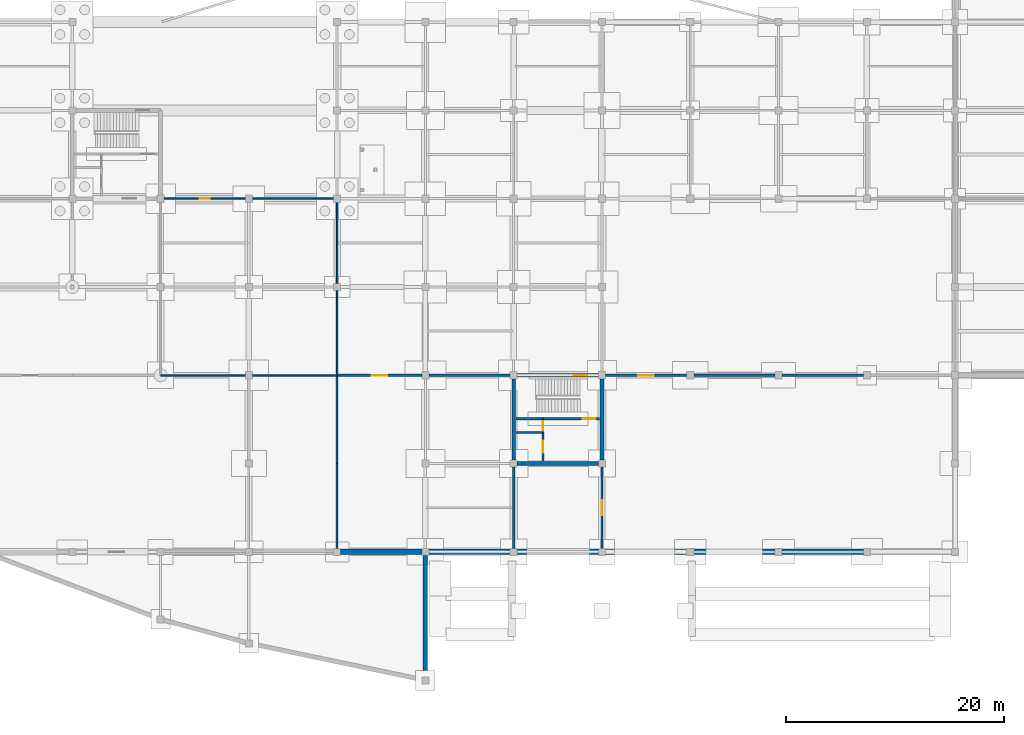
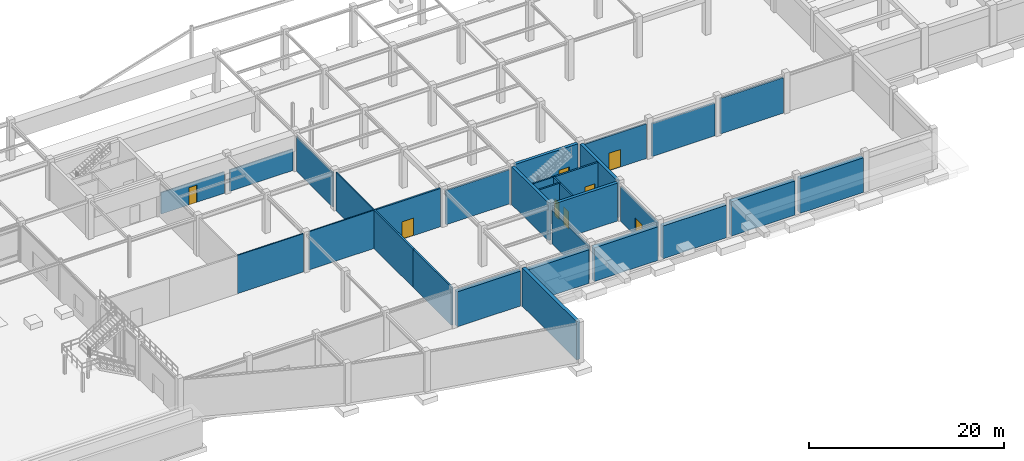
# One storey, part 47 of 67: 30 walls, 8 doors, 8 openings.
"""IFC4 building model written with IfcOpenShell, lengths in metres."""

from ifc_helpers import new_model, si_unit, direction, frame, frame_2d, origin, place, context, subcontext, project, spatial, rectangle, extrude, material, layer, layer_set, type_object, element, fill, save


model = new_model("IFC4")

# Units and contexts
model_context = context("Model", 3, precision=1e-05, world=origin(), true_north=direction((0.0, 1.0)))
body_context = subcontext(model_context, "Body", "Model", "MODEL_VIEW")
ifc_project = project(units=[si_unit("LENGTHUNIT", "METRE"), si_unit("AREAUNIT", "SQUARE_METRE"), si_unit("VOLUMEUNIT", "CUBIC_METRE"), si_unit("PLANEANGLEUNIT", "RADIAN"), si_unit("MASSUNIT", "GRAM", prefix="KILO")], contexts=[model_context])

# Site, building, storey
site_placement = place(None, origin())
site = spatial("IfcSite", under=ifc_project, at=site_placement, CompositionType="ELEMENT")
building_placement = place(site_placement, origin())
building = spatial("IfcBuilding", under=site, at=building_placement, Name="Vaudrelin Polytechnic", CompositionType="ELEMENT")
storey_placement = place(building_placement, frame((0.0, 0.0, -5.10009765625)))
storey = spatial("IfcBuildingStorey", under=building, at=storey_placement, Name="B1", CompositionType="ELEMENT", Elevation=-5.10009765625)

# Walls
ifc_material_1 = material(Name="Concrete masonry unit 20 MPa shaft & corridor fire wall", Category="masonry")
ifc_layer_1 = layer(ifc_material_1, 0.199951171875)
ifc_layer_set_1 = layer_set([ifc_layer_1], Name="Concrete masonry unit 20 MPa shaft & corridor fire wall")
wall_type_1 = type_object("IfcWallType", Name="WAL-PW-FIRE120", PredefinedType="PARTITIONING", material=ifc_layer_set_1)
wall_1_placement = place(storey_placement, frame((72.89990234375, 0.322998046875, 0.0), z_axis=(0.0, 0.0, 1.0), x_axis=(0.0, 1.0, 0.0)))
element("IfcWall", 1, at=wall_1_placement, inside=storey, type_object=wall_type_1, Name="Partition B1-016 E", PredefinedType="PARTITIONING", context=body_context, shape_type="SweptSolid", body=[
    extrude(rectangle(XDim=7.777099609375, YDim=0.199951171875, at=frame_2d((3.888671875, 0.0))), origin(), (0.0, 0.0, 1.0), 4.781982421875),
])
wall_2_placement = place(storey_placement, frame((72.89990234375, 8.10009765625, 0.0), z_axis=(0.0, 0.0, 1.0), x_axis=(0.0, 1.0, 0.0)))
element("IfcWall", 2, at=wall_2_placement, inside=storey, type_object=wall_type_1, Name="Partition B1-016 E", PredefinedType="PARTITIONING", context=body_context, shape_type="SweptSolid", body=[
    extrude(rectangle(XDim=8.099853515625, YDim=0.199951171875, at=frame_2d((4.0498046875, 0.0))), origin(), (0.0, 0.0, 1.0), 4.781982421875),
])

# Wall, opening, door
wall_3_placement = place(storey_placement, frame((72.89990234375, 16.199951171875, 0.0), z_axis=(0.0, 0.0, 1.0), x_axis=(1.0, 0.0, 0.0)))
wall_3 = element("IfcWall", 3, at=wall_3_placement, inside=storey, type_object=wall_type_1, Name="Partition B1-017 N", PredefinedType="PARTITIONING", context=body_context, shape_type="SweptSolid", body=[
    extrude(rectangle(XDim=7.777099609375, YDim=0.199951171875, at=frame_2d((3.888671875, 0.0))), origin(), (0.0, 0.0, 1.0), 4.781982421875),
])
opening_1_placement = place(wall_3_placement, frame((3.1884765625, 0.0, 0.0)))
opening_1 = element("IfcOpeningElement", 4, at=opening_1_placement, cuts=wall_3, Name="Opening D-B1-404", PredefinedType="OPENING", context=body_context, shape_type="SweptSolid", body=[
    extrude(rectangle(XDim=1.39990234375, YDim=2.199951171875, at=frame_2d((0.699951171875, 1.10009765625))), frame((0.0, 0.10986328125, 0.0), z_axis=(0.0, -1.0, 0.0), x_axis=(1.0, 0.0, 0.0)), (0.0, 0.0, 1.0), 0.219970703125),
])
ifc_material_2 = material(Name="Pressed galvanised steel acoustic leaf", Category="steel")
door_type_1 = type_object("IfcDoorType", Name="DOR-ID-PLT1", OperationType="NOTDEFINED", PredefinedType="DOOR", material=ifc_material_2)
door_1_placement = place(opening_1_placement, origin())
door_1 = element("IfcDoor", 5, at=door_1_placement, inside=storey, type_object=door_type_1, Name="Refectory Cold Storage and Dry Goods Store door B1-017", OperationType="DOUBLE_SWING_LEFT", OverallHeight=2.199951171875, OverallWidth=1.39990234375, PredefinedType="DOOR", context=body_context, shape_type="SweptSolid", body=[
    extrude(rectangle(XDim=1.39990234375, YDim=2.199951171875, at=frame_2d((0.699951171875, 1.10009765625))), frame((0.0, 0.02490234375, 0.0), z_axis=(0.0, -1.0, 0.0), x_axis=(1.0, 0.0, 0.0)), (0.0, 0.0, 1.0), 0.050048828125),
])
fill(opening_1, door_1)

# Walls
wall_4_placement = place(storey_placement, frame((81.322998046875, 16.199951171875, 0.0), z_axis=(0.0, 0.0, 1.0), x_axis=(1.0, 0.0, 0.0)))
element("IfcWall", 6, at=wall_4_placement, inside=storey, type_object=wall_type_1, Name="Partition B1-017 N", PredefinedType="PARTITIONING", context=body_context, shape_type="SweptSolid", body=[
    extrude(rectangle(XDim=7.4541015625, YDim=0.199951171875, at=frame_2d((3.72705078125, 0.0))), origin(), (0.0, 0.0, 1.0), 4.279052734375),
])
wall_5_placement = place(storey_placement, frame((89.10009765625, 0.322998046875, 0.0), z_axis=(0.0, 0.0, 1.0), x_axis=(0.0, 1.0, 0.0)))
element("IfcWall", 7, at=wall_5_placement, inside=storey, type_object=wall_type_1, Name="Partition B1-017 E", PredefinedType="PARTITIONING", context=body_context, shape_type="SweptSolid", body=[
    extrude(rectangle(XDim=7.4541015625, YDim=0.199951171875, at=frame_2d((3.72705078125, 0.0))), origin(), (0.0, 0.0, 1.0), 4.208984375),
])

# Wall, opening, door
wall_6_placement = place(storey_placement, frame((97.52294921875, 16.199951171875, 0.0), z_axis=(0.0, 0.0, 1.0), x_axis=(1.0, 0.0, 0.0)))
wall_6 = element("IfcWall", 8, at=wall_6_placement, inside=storey, type_object=wall_type_1, Name="Partition B1-018 N", PredefinedType="PARTITIONING", context=body_context, shape_type="SweptSolid", body=[
    extrude(rectangle(XDim=7.4541015625, YDim=0.199951171875, at=frame_2d((3.72705078125, 0.0))), origin(), (0.0, 0.0, 1.0), 4.33203125),
])
opening_2_placement = place(wall_6_placement, frame((3.027099609375, 0.0, 0.0)))
opening_2 = element("IfcOpeningElement", 9, at=opening_2_placement, cuts=wall_6, Name="Opening D-B1-405", PredefinedType="OPENING", context=body_context, shape_type="SweptSolid", body=[
    extrude(rectangle(XDim=1.39990234375, YDim=2.199951171875, at=frame_2d((0.699951171875, 1.10009765625))), frame((0.0, 0.10986328125, 0.0), z_axis=(0.0, -1.0, 0.0), x_axis=(1.0, 0.0, 0.0)), (0.0, 0.0, 1.0), 0.219970703125),
])
door_2_placement = place(opening_2_placement, origin())
door_2 = element("IfcDoor", 10, at=door_2_placement, inside=storey, type_object=door_type_1, Name="Standby Power Room door B1-018", OperationType="DOUBLE_SWING_LEFT", OverallHeight=2.199951171875, OverallWidth=1.39990234375, PredefinedType="DOOR", context=body_context, shape_type="SweptSolid", body=[
    extrude(rectangle(XDim=1.39990234375, YDim=2.199951171875, at=frame_2d((0.699951171875, 1.10009765625))), frame((0.0, 0.02490234375, 0.0), z_axis=(0.0, -1.0, 0.0), x_axis=(1.0, 0.0, 0.0)), (0.0, 0.0, 1.0), 0.050048828125),
])
fill(opening_2, door_2)

# Walls
wall_7_placement = place(storey_placement, frame((105.623046875, 16.199951171875, 0.0), z_axis=(0.0, 0.0, 1.0), x_axis=(1.0, 0.0, 0.0)))
element("IfcWall", 11, at=wall_7_placement, inside=storey, type_object=wall_type_1, Name="Partition B1-018 N", PredefinedType="PARTITIONING", context=body_context, shape_type="SweptSolid", body=[
    extrude(rectangle(XDim=7.453857421875, YDim=0.199951171875, at=frame_2d((3.72705078125, 0.0))), origin(), (0.0, 0.0, 1.0), 4.092041015625),
])
wall_8_placement = place(storey_placement, frame((113.722900390625, 16.199951171875, 0.0), z_axis=(0.0, 0.0, 1.0), x_axis=(1.0, 0.0, 0.0)))
element("IfcWall", 12, at=wall_8_placement, inside=storey, type_object=wall_type_1, Name="Partition B1-018 N", PredefinedType="PARTITIONING", context=body_context, shape_type="SweptSolid", body=[
    extrude(rectangle(XDim=7.4541015625, YDim=0.199951171875, at=frame_2d((3.72705078125, 0.0))), origin(), (0.0, 0.0, 1.0), 4.43603515625),
])

# Wall, opening, door
wall_9_placement = place(storey_placement, frame((97.199951171875, 0.322998046875, 0.0), z_axis=(0.0, 0.0, 1.0), x_axis=(0.0, 1.0, 0.0)))
wall_9 = element("IfcWall", 13, at=wall_9_placement, inside=storey, type_object=wall_type_1, Name="Partition B1-018 W", PredefinedType="PARTITIONING", context=body_context, shape_type="SweptSolid", body=[
    extrude(rectangle(XDim=7.4541015625, YDim=0.199951171875, at=frame_2d((3.72705078125, 0.0))), origin(), (0.0, 0.0, 1.0), 4.279052734375),
])
opening_3_placement = place(wall_9_placement, frame((3.027099609375, 0.0, 0.0)))
opening_3 = element("IfcOpeningElement", 14, at=opening_3_placement, cuts=wall_9, Name="Opening D-B1-415", PredefinedType="OPENING", context=body_context, shape_type="SweptSolid", body=[
    extrude(rectangle(XDim=1.39990234375, YDim=2.199951171875, at=frame_2d((0.699951171875, 1.10009765625))), frame((0.0, 0.10986328125, 0.0), z_axis=(0.0, -1.0, 0.0), x_axis=(1.0, 0.0, 0.0)), (0.0, 0.0, 1.0), 0.219970703125),
])
door_3_placement = place(opening_3_placement, origin())
door_3 = element("IfcDoor", 15, at=door_3_placement, inside=storey, type_object=door_type_1, Name="Basement South Utility Alcove door B1-032", OperationType="DOUBLE_SWING_LEFT", OverallHeight=2.199951171875, OverallWidth=1.39990234375, PredefinedType="DOOR", context=body_context, shape_type="SweptSolid", body=[
    extrude(rectangle(XDim=1.39990234375, YDim=2.199951171875, at=frame_2d((0.699951171875, 1.10009765625))), frame((0.0, 0.02490234375, 0.0), z_axis=(0.0, -1.0, 0.0), x_axis=(1.0, 0.0, 0.0)), (0.0, 0.0, 1.0), 0.050048828125),
])
fill(opening_3, door_3)

ifc_material_3 = material(Name="Fire-rated steel-stud gypsum compartment wall", Category="steel")
ifc_layer_2 = layer(ifc_material_3, 0.14990234375)
ifc_layer_set_2 = layer_set([ifc_layer_2], Name="Fire-rated steel-stud gypsum compartment wall")
wall_type_2 = type_object("IfcWallType", Name="WAL-PW-FIRE60", PredefinedType="PARTITIONING", material=ifc_layer_set_2)
wall_10_placement = place(storey_placement, frame((91.780029296875, 10.949951171875, 0.0), z_axis=(0.0, 0.0, 1.0), x_axis=(0.0, 1.0, 0.0)))
wall_10 = element("IfcWall", 16, at=wall_10_placement, inside=storey, type_object=wall_type_2, Name="Core C5 riser enclosure wall B1", PredefinedType="PARTITIONING", context=body_context, shape_type="SweptSolid", body=[
    extrude(rectangle(XDim=1.260009765625, YDim=0.14990234375, at=frame_2d((0.6298828125, 0.0))), origin(), (0.0, 0.0, 1.0), 4.7421875),
])
opening_4_placement = place(wall_10_placement, frame((0.139892578125, 0.0, 0.0)))
opening_4 = element("IfcOpeningElement", 17, at=opening_4_placement, cuts=wall_10, Name="Opening D-B1-076", PredefinedType="OPENING", context=body_context, shape_type="SweptSolid", body=[
    extrude(rectangle(XDim=0.89990234375, YDim=2.14990234375, at=frame_2d((0.449951171875, 1.074951171875))), frame((0.0, 0.0849609375, 0.0), z_axis=(0.0, -1.0, 0.0), x_axis=(1.0, 0.0, 0.0)), (0.0, 0.0, 1.0), 0.169921875),
])
door_type_2 = type_object("IfcDoorType", Name="DOR-ID-RSR1", OperationType="NOTDEFINED", PredefinedType="DOOR", material=ifc_material_2)
door_4_placement = place(opening_4_placement, origin())
door_4 = element("IfcDoor", 18, at=door_4_placement, inside=storey, type_object=door_type_2, Name="Core C5 riser access door B1", OperationType="SINGLE_SWING_RIGHT", OverallHeight=2.14990234375, OverallWidth=0.89990234375, PredefinedType="DOOR", context=body_context, shape_type="SweptSolid", body=[
    extrude(rectangle(XDim=0.89990234375, YDim=2.14990234375, at=frame_2d((0.449951171875, 1.074951171875))), frame((0.0, 0.02490234375, 0.0), z_axis=(0.0, -1.0, 0.0), x_axis=(1.0, 0.0, 0.0)), (0.0, 0.0, 1.0), 0.050048828125),
])
fill(opening_4, door_4)

ifc_material_4 = material(Name="Acoustic steel-stud office & study room partition", Category="steel")
ifc_layer_3 = layer(ifc_material_4, 0.135009765625)
ifc_layer_set_3 = layer_set([ifc_layer_3], Name="Acoustic steel-stud office & study room partition")
wall_type_3 = type_object("IfcWallType", Name="WAL-PW-OFF135", PredefinedType="PARTITIONING", material=ifc_layer_set_3)
wall_11_placement = place(storey_placement, frame((57.02294921875, 32.39990234375, 0.0), z_axis=(0.0, 0.0, 1.0), x_axis=(1.0, 0.0, 0.0)))
wall_11 = element("IfcWall", 19, at=wall_11_placement, inside=storey, type_object=wall_type_3, Name="Partition B1-004 N", PredefinedType="PARTITIONING", context=body_context, shape_type="SweptSolid", body=[
    extrude(rectangle(XDim=7.4541015625, YDim=0.135009765625, at=frame_2d((3.72705078125, 0.0))), origin(), (0.0, 0.0, 1.0), 2.68017578125),
])
opening_5_placement = place(wall_11_placement, frame((3.251953125, 0.0, 0.0)))
opening_5 = element("IfcOpeningElement", 20, at=opening_5_placement, cuts=wall_11, Name="Opening D-B1-393", PredefinedType="OPENING", context=body_context, shape_type="SweptSolid", body=[
    extrude(rectangle(XDim=0.949951171875, YDim=2.14990234375, at=frame_2d((0.47509765625, 1.074951171875))), frame((0.0, 0.07763671875, 0.0), z_axis=(0.0, -1.0, 0.0), x_axis=(1.0, 0.0, 0.0)), (0.0, 0.0, 1.0), 0.155029296875),
])
ifc_material_5 = material(Name="Solid-core birch veneer acoustic leaf", Category="wood")
door_type_3 = type_object("IfcDoorType", Name="DOR-ID-OFF1", OperationType="NOTDEFINED", PredefinedType="DOOR", material=ifc_material_5)
door_5_placement = place(opening_5_placement, origin())
door_5 = element("IfcDoor", 21, at=door_5_placement, inside=storey, type_object=door_type_3, Name="Campus Cycle Hub and Repair Station door B1-004", OperationType="SINGLE_SWING_RIGHT", OverallHeight=2.14990234375, OverallWidth=0.949951171875, PredefinedType="DOOR", context=body_context, shape_type="SweptSolid", body=[
    extrude(rectangle(XDim=0.949951171875, YDim=2.14990234375, at=frame_2d((0.47509765625, 1.074951171875))), frame((0.0, 0.02490234375, 0.0), z_axis=(0.0, -1.0, 0.0), x_axis=(1.0, 0.0, 0.0)), (0.0, 0.0, 1.0), 0.050048828125),
])
fill(opening_5, door_5)

# Walls
wall_12_placement = place(storey_placement, frame((65.123046875, 32.39990234375, 0.0), z_axis=(0.0, 0.0, 1.0), x_axis=(1.0, 0.0, 0.0)))
element("IfcWall", 22, at=wall_12_placement, inside=storey, type_object=wall_type_3, Name="Partition B1-004 N", PredefinedType="PARTITIONING", context=body_context, shape_type="SweptSolid", body=[
    extrude(rectangle(XDim=7.453857421875, YDim=0.135009765625, at=frame_2d((3.72705078125, 0.0))), origin(), (0.0, 0.0, 1.0), 2.68017578125),
])
wall_13_placement = place(storey_placement, frame((72.89990234375, 16.199951171875, 0.0), z_axis=(0.0, 0.0, 1.0), x_axis=(0.0, 1.0, 0.0)))
element("IfcWall", 23, at=wall_13_placement, inside=storey, type_object=wall_type_3, Name="Partition B1-004 E", PredefinedType="PARTITIONING", context=body_context, shape_type="SweptSolid", body=[
    extrude(rectangle(XDim=7.777099609375, YDim=0.135009765625, at=frame_2d((3.888671875, 0.0))), origin(), (0.0, 0.0, 1.0), 4.781982421875),
])
wall_14_placement = place(storey_placement, frame((72.89990234375, 24.623046875, 0.0), z_axis=(0.0, 0.0, 1.0), x_axis=(0.0, 1.0, 0.0)))
element("IfcWall", 24, at=wall_14_placement, inside=storey, type_object=wall_type_3, Name="Partition B1-004 E", PredefinedType="PARTITIONING", context=body_context, shape_type="SweptSolid", body=[
    extrude(rectangle(XDim=7.453857421875, YDim=0.135009765625, at=frame_2d((3.72705078125, 0.0))), origin(), (0.0, 0.0, 1.0), 4.319091796875),
])
wall_15_placement = place(storey_placement, frame((56.699951171875, 16.199951171875, 0.0), z_axis=(0.0, 0.0, 1.0), x_axis=(1.0, 0.0, 0.0)))
element("IfcWall", 25, at=wall_15_placement, inside=storey, type_object=wall_type_3, Name="Partition B1-004 S", PredefinedType="PARTITIONING", context=body_context, shape_type="SweptSolid", body=[
    extrude(rectangle(XDim=7.777099609375, YDim=0.135009765625, at=frame_2d((3.888671875, 0.0))), origin(), (0.0, 0.0, 1.0), 4.781982421875),
])
wall_16_placement = place(storey_placement, frame((65.123046875, 16.199951171875, 0.0), z_axis=(0.0, 0.0, 1.0), x_axis=(1.0, 0.0, 0.0)))
element("IfcWall", 26, at=wall_16_placement, inside=storey, type_object=wall_type_3, Name="Partition B1-004 S", PredefinedType="PARTITIONING", context=body_context, shape_type="SweptSolid", body=[
    extrude(rectangle(XDim=7.77685546875, YDim=0.135009765625, at=frame_2d((3.888427734375, 0.0))), origin(), (0.0, 0.0, 1.0), 4.781982421875),
])

# Wall, opening, door
ifc_material_6 = material(Name="Concrete 40 MPa", Category="concrete")
ifc_layer_4 = layer(ifc_material_6, 0.199951171875)
ifc_layer_set_4 = layer_set([ifc_layer_4], Name="Concrete 40 MPa")
wall_type_4 = type_object("IfcWallType", Name="WAL-SW-CORE200", PredefinedType="SHEAR", material=ifc_layer_set_4)
wall_17_placement = place(storey_placement, frame((89.320068359375, 12.2099609375, 0.0), z_axis=(0.0, 0.0, 1.0), x_axis=(1.0, 0.0, 0.0)))
wall_17 = element("IfcWall", 27, at=wall_17_placement, inside=storey, type_object=wall_type_4, Name="Core C5 stair enclosure wall B1", PredefinedType="SHEAR", context=body_context, shape_type="SweptSolid", body=[
    extrude(rectangle(XDim=7.659912109375, YDim=0.199951171875, at=frame_2d((3.830078125, 0.0))), origin(), (0.0, 0.0, 1.0), 4.7421875),
])
opening_6_placement = place(wall_17_placement, frame((6.110107421875, 0.0, 0.0)))
opening_6 = element("IfcOpeningElement", 28, at=opening_6_placement, cuts=wall_17, Name="Opening D-B1-075", PredefinedType="OPENING", context=body_context, shape_type="SweptSolid", body=[
    extrude(rectangle(XDim=1.14990234375, YDim=2.199951171875, at=frame_2d((0.574951171875, 1.10009765625))), frame((0.0, 0.10986328125, 0.0), z_axis=(0.0, -1.0, 0.0), x_axis=(1.0, 0.0, 0.0)), (0.0, 0.0, 1.0), 0.219970703125),
])
door_type_4 = type_object("IfcDoorType", Name="DOR-ID-ST1", OperationType="NOTDEFINED", PredefinedType="DOOR", material=ifc_material_2)
door_6_placement = place(opening_6_placement, origin())
door_6 = element("IfcDoor", 29, at=door_6_placement, inside=storey, type_object=door_type_4, Name="Core C5 exit stair door B1", OperationType="SINGLE_SWING_LEFT", OverallHeight=2.199951171875, OverallWidth=1.14990234375, PredefinedType="DOOR", context=body_context, shape_type="SweptSolid", body=[
    extrude(rectangle(XDim=1.14990234375, YDim=2.199951171875, at=frame_2d((0.574951171875, 1.10009765625))), frame((0.0, 0.02490234375, 0.0), z_axis=(0.0, -1.0, 0.0), x_axis=(1.0, 0.0, 0.0)), (0.0, 0.0, 1.0), 0.050048828125),
])
fill(opening_6, door_6)

wall_18_placement = place(storey_placement, frame((91.780029296875, 8.35009765625, 0.0), z_axis=(0.0, 0.0, 1.0), x_axis=(0.0, 1.0, 0.0)))
wall_18 = element("IfcWall", 30, at=wall_18_placement, inside=storey, type_object=wall_type_4, Name="Lift LF-05 shaft front wall B1", PredefinedType="SHEAR", context=body_context, shape_type="SweptSolid", body=[
    extrude(rectangle(XDim=2.599853515625, YDim=0.199951171875, at=frame_2d((1.2998046875, 0.0))), origin(), (0.0, 0.0, 1.0), 4.7421875),
])
opening_7_placement = place(wall_18_placement, frame((0.75, 0.0, 0.0)))
opening_7 = element("IfcOpeningElement", 31, at=opening_7_placement, cuts=wall_18, Name="Opening LD-LF-05-B1", PredefinedType="OPENING", context=body_context, shape_type="SweptSolid", body=[
    extrude(rectangle(XDim=1.10009765625, YDim=2.199951171875, at=frame_2d((0.550048828125, 1.10009765625))), frame((0.0, 0.10986328125, 0.0), z_axis=(0.0, -1.0, 0.0), x_axis=(1.0, 0.0, 0.0)), (0.0, 0.0, 1.0), 0.219970703125),
])
ifc_material_7 = material(Name="Brushed stainless steel AISI 304", Category="steel")
door_type_5 = type_object("IfcDoorType", Name="DOR-LD-PAX", OperationType="SLIDING_TO_LEFT", PredefinedType="DOOR", material=ifc_material_7)
door_7_placement = place(opening_7_placement, origin())
door_7 = element("IfcDoor", 32, at=door_7_placement, inside=storey, type_object=door_type_5, Name="Lift LF-05 landing door B1", OperationType="SLIDING_TO_LEFT", OverallHeight=2.199951171875, OverallWidth=1.10009765625, PredefinedType="DOOR", context=body_context, shape_type="SweptSolid", body=[
    extrude(rectangle(XDim=1.10009765625, YDim=2.199951171875, at=frame_2d((0.550048828125, 1.10009765625))), frame((0.0, 0.02490234375, 0.0), z_axis=(0.0, -1.0, 0.0), x_axis=(1.0, 0.0, 0.0)), (0.0, 0.0, 1.0), 0.050048828125),
])
fill(opening_7, door_7)

# Wall
wall_19_placement = place(storey_placement, frame((89.320068359375, 10.949951171875, 0.0), z_axis=(0.0, 0.0, 1.0), x_axis=(1.0, 0.0, 0.0)))
element("IfcWall", 33, at=wall_19_placement, inside=storey, type_object=wall_type_4, Name="Lift LF-05 shaft north wall B1", PredefinedType="SHEAR", context=body_context, shape_type="SweptSolid", body=[
    extrude(rectangle(XDim=2.559814453125, YDim=0.199951171875, at=frame_2d((1.27978515625, 0.0))), origin(), (0.0, 0.0, 1.0), 4.7421875),
])

# Wall, opening, door
ifc_material_8 = material(Name="Concrete 50 MPa", Category="concrete")
ifc_layer_5 = layer(ifc_material_8, 0.35009765625)
ifc_layer_set_5 = layer_set([ifc_layer_5], Name="Concrete 50 MPa")
wall_type_5 = type_object("IfcWallType", Name="WAL-SW-CORE350", PredefinedType="SHEAR", material=ifc_layer_set_5)
wall_20_placement = place(storey_placement, frame((89.423095703125, 16.199951171875, 0.0), z_axis=(0.0, 0.0, 1.0), x_axis=(1.0, 0.0, 0.0)))
wall_20 = element("IfcWall", 34, at=wall_20_placement, inside=storey, type_object=wall_type_5, Name="Core C5 N shear wall B1", PredefinedType="SHEAR", context=body_context, shape_type="SweptSolid", body=[
    extrude(rectangle(XDim=7.453857421875, YDim=0.35009765625, at=frame_2d((3.72705078125, 0.0))), origin(), (0.0, 0.0, 1.0), 4.7421875),
])
opening_8_placement = place(wall_20_placement, frame((5.2041015625, 0.0, 0.0)))
opening_8 = element("IfcOpeningElement", 35, at=opening_8_placement, cuts=wall_20, Name="Opening D-B1-074", PredefinedType="OPENING", context=body_context, shape_type="SweptSolid", body=[
    extrude(rectangle(XDim=1.199951171875, YDim=2.199951171875, at=frame_2d((0.60009765625, 1.10009765625))), frame((0.0, 0.18505859375, 0.0), z_axis=(0.0, -1.0, 0.0), x_axis=(1.0, 0.0, 0.0)), (0.0, 0.0, 1.0), 0.3701171875),
])
door_type_6 = type_object("IfcDoorType", Name="DOR-ID-LB1", OperationType="NOTDEFINED", PredefinedType="DOOR", material=ifc_material_2)
door_8_placement = place(opening_8_placement, origin())
door_8 = element("IfcDoor", 36, at=door_8_placement, inside=storey, type_object=door_type_6, Name="Core C5 lobby fire door B1", OperationType="SINGLE_SWING_RIGHT", OverallHeight=2.199951171875, OverallWidth=1.199951171875, PredefinedType="DOOR", context=body_context, shape_type="SweptSolid", body=[
    extrude(rectangle(XDim=1.199951171875, YDim=2.199951171875, at=frame_2d((0.60009765625, 1.10009765625))), frame((0.0, 0.02490234375, 0.0), z_axis=(0.0, -1.0, 0.0), x_axis=(1.0, 0.0, 0.0)), (0.0, 0.0, 1.0), 0.050048828125),
])
fill(opening_8, door_8)

# Walls
for number, where, z_axis, x_axis, name in (
    (37, (89.10009765625, 8.423095703125, 0.0), (0.0, 0.0, 1.0), (0.0, 1.0, 0.0), "Core C5 W shear wall B1"),
    (38, (97.199951171875, 8.423095703125, 0.0), (0.0, 0.0, 1.0), (0.0, 1.0, 0.0), "Core C5 E shear wall B1"),
    (39, (89.423095703125, 8.10009765625, 0.0), (0.0, 0.0, 1.0), (1.0, 0.0, 0.0), "Core C5 S shear wall B1"),
):
    element("IfcWall", number, at=place(storey_placement, frame(where, z_axis=z_axis, x_axis=x_axis)), inside=storey, type_object=wall_type_5, Name=name, PredefinedType="SHEAR", context=body_context, shape_type="SweptSolid", body=[
        extrude(rectangle(XDim=7.453857421875, YDim=0.35009765625, at=frame_2d((3.72705078125, 0.0))), origin(), (0.0, 0.0, 1.0), 4.7421875),
    ])
ifc_layer_6 = layer(ifc_material_6, 0.39990234375)
ifc_layer_set_6 = layer_set([ifc_layer_6], Name="Concrete 40 MPa")
wall_type_6 = type_object("IfcWallType", Name="WAL-SW-RET400", PredefinedType="SOLIDWALL", material=ifc_layer_set_6)
wall_21_placement = place(storey_placement, frame((81.0, -11.4599609375, 0.0), z_axis=(0.0, 0.0, 1.0), x_axis=(0.0, 1.0, 0.0)))
element("IfcWall", 40, at=wall_21_placement, inside=storey, type_object=wall_type_6, Name="Basement lecture prow retaining wall 4", PredefinedType="SOLIDWALL", context=body_context, shape_type="SweptSolid", body=[
    extrude(rectangle(XDim=11.119873046875, YDim=0.39990234375, at=frame_2d((5.56005859375, 0.0))), origin(), (0.0, 0.0, 1.0), 4.780029296875),
])
ifc_material_9 = material(Name="Concrete 35 MPa", Category="concrete")
ifc_layer_7 = layer(ifc_material_9, 0.5)
ifc_layer_set_7 = layer_set([ifc_layer_7], Name="Concrete 35 MPa")
wall_type_7 = type_object("IfcWallType", Name="WAL-SW-RET500", PredefinedType="SOLIDWALL", material=ifc_layer_set_7)
wall_22_placement = place(storey_placement, frame((73.2099609375, 0.0, 0.0), z_axis=(0.0, 0.0, 1.0), x_axis=(1.0, 0.0, 0.0)))
element("IfcWall", 41, at=wall_22_placement, inside=storey, type_object=wall_type_7, Name="Basement retaining wall RET-S-V23-5", PredefinedType="SOLIDWALL", context=body_context, shape_type="SweptSolid", body=[
    extrude(rectangle(XDim=7.47998046875, YDim=0.5, at=frame_2d((3.739990234375, 0.0))), origin(), (0.0, 0.0, 1.0), 4.364990234375),
])
wall_23_placement = place(storey_placement, frame((81.31005859375, 0.0, 0.0), z_axis=(0.0, 0.0, 1.0), x_axis=(1.0, 0.0, 0.0)))
element("IfcWall", 42, at=wall_23_placement, inside=storey, type_object=wall_type_7, Name="Basement retaining wall RET-S-V23-6", PredefinedType="SOLIDWALL", context=body_context, shape_type="SweptSolid", body=[
    extrude(rectangle(XDim=7.47998046875, YDim=0.5, at=frame_2d((3.739990234375, 0.0))), origin(), (0.0, 0.0, 1.0), 4.191162109375),
])
wall_24_placement = place(storey_placement, frame((89.409912109375, 0.0, 0.0), z_axis=(0.0, 0.0, 1.0), x_axis=(1.0, 0.0, 0.0)))
element("IfcWall", 43, at=wall_24_placement, inside=storey, type_object=wall_type_7, Name="Basement retaining wall RET-S-V23-7", PredefinedType="SOLIDWALL", context=body_context, shape_type="SweptSolid", body=[
    extrude(rectangle(XDim=7.47998046875, YDim=0.5, at=frame_2d((3.739990234375, 0.0))), origin(), (0.0, 0.0, 1.0), 4.20703125),
])
wall_25_placement = place(storey_placement, frame((97.510009765625, 0.0, 0.0), z_axis=(0.0, 0.0, 1.0), x_axis=(1.0, 0.0, 0.0)))
element("IfcWall", 44, at=wall_25_placement, inside=storey, type_object=wall_type_7, Name="Basement retaining wall RET-S-V23-8", PredefinedType="SOLIDWALL", context=body_context, shape_type="SweptSolid", body=[
    extrude(rectangle(XDim=7.47998046875, YDim=0.5, at=frame_2d((3.739990234375, 0.0))), origin(), (0.0, 0.0, 1.0), 4.090087890625),
])
wall_26_placement = place(storey_placement, frame((105.610107421875, 0.0, 0.0), z_axis=(0.0, 0.0, 1.0), x_axis=(1.0, 0.0, 0.0)))
element("IfcWall", 45, at=wall_26_placement, inside=storey, type_object=wall_type_7, Name="Basement retaining wall RET-S-V23-9", PredefinedType="SOLIDWALL", context=body_context, shape_type="SweptSolid", body=[
    extrude(rectangle(XDim=7.47998046875, YDim=0.5, at=frame_2d((3.739990234375, 0.0))), origin(), (0.0, 0.0, 1.0), 4.280029296875),
])
wall_27_placement = place(storey_placement, frame((113.7099609375, 0.0, 0.0), z_axis=(0.0, 0.0, 1.0), x_axis=(1.0, 0.0, 0.0)))
element("IfcWall", 46, at=wall_27_placement, inside=storey, type_object=wall_type_7, Name="Basement retaining wall RET-S-V23-10", PredefinedType="SOLIDWALL", context=body_context, shape_type="SweptSolid", body=[
    extrude(rectangle(XDim=7.47998046875, YDim=0.5, at=frame_2d((3.739990234375, 0.0))), origin(), (0.0, 0.0, 1.0), 4.330078125),
])

save(model, "model.ifc")
